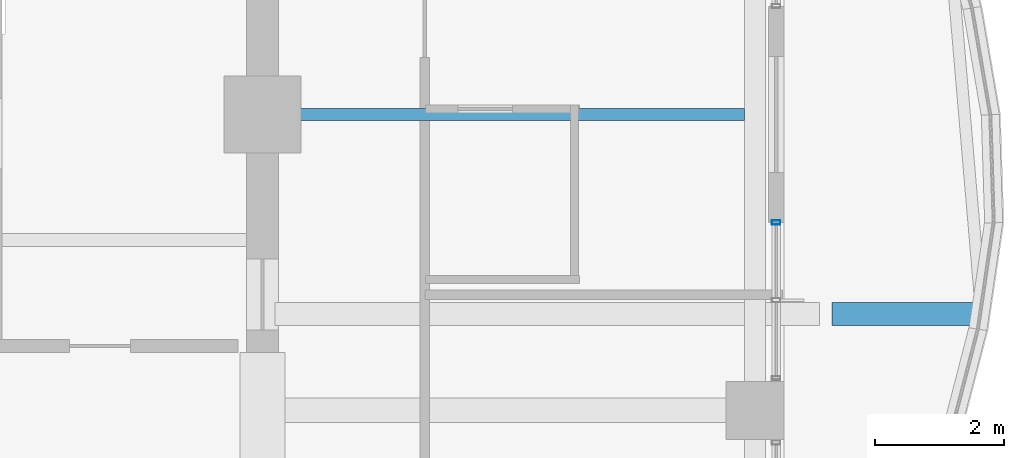
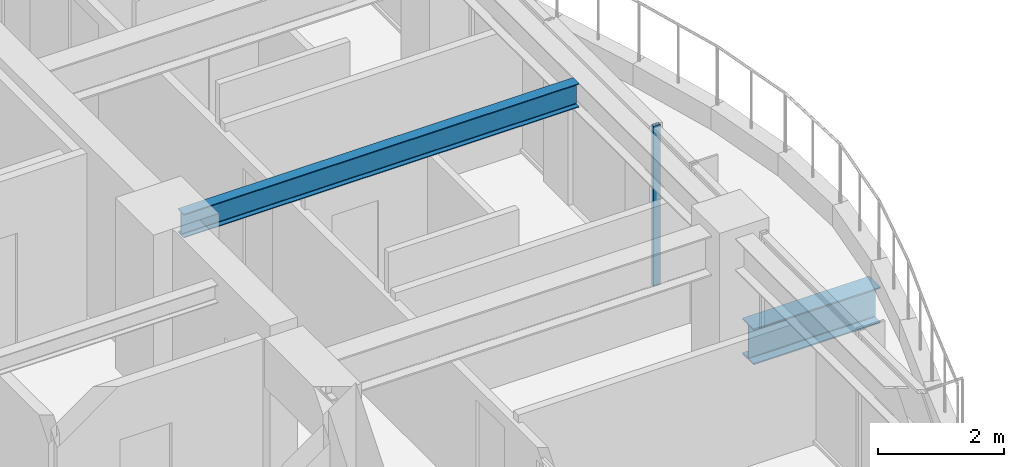
# One storey, part 14 of 33: 2 beams, 1 member, 1 element without a shape of its own.
"""IFC4 building model written with IfcOpenShell, lengths in metres."""

from ifc_helpers import new_model, si_unit, direction, frame, origin, origin_2d, place, context, subcontext, project, spatial, hollow_rectangle, i_section, extrude, material, material_profile, profile_set, type_object, element, aggregate, save


model = new_model("IFC4")

# Units and contexts
model_context = context("Model", 3, precision=1e-05, world=origin(), true_north=direction((0.0, 1.0)))
body_context = subcontext(model_context, "Body", "Model", "MODEL_VIEW")
ifc_project = project(units=[si_unit("LENGTHUNIT", "METRE"), si_unit("AREAUNIT", "SQUARE_METRE"), si_unit("VOLUMEUNIT", "CUBIC_METRE"), si_unit("PLANEANGLEUNIT", "RADIAN"), si_unit("MASSUNIT", "GRAM", prefix="KILO")], contexts=[model_context])

# Site, building, storey
site_placement = place(None, origin())
site = spatial("IfcSite", under=ifc_project, at=site_placement, CompositionType="ELEMENT")
building_placement = place(site_placement, origin())
building = spatial("IfcBuilding", under=site, at=building_placement, Name="Kolvaren Belvedere", CompositionType="ELEMENT")
storey_placement = place(building_placement, frame((0.0, 0.0, 128.300048828125)))
storey = spatial("IfcBuildingStorey", under=building, at=storey_placement, Name="L37", CompositionType="ELEMENT", Elevation=128.300048828125)

# Beams
ifc_material_1 = material(Name="Structural steel ASTM A992 Grade 50", Category="steel")
ifc_material_profile_1 = material_profile(ifc_material_1, i_section(OverallWidth=0.35498046875, OverallDepth=0.696044921875, WebThickness=0.015380859375, FlangeThickness=0.02490234375, FilletRadius=0.02197265625, at=origin_2d()), Name="W27X146")
ifc_profile_set_1 = profile_set([ifc_material_profile_1], Name="Structural steel ASTM A992 Grade 50")
beam_type_1 = type_object("IfcBeamType", Name="BM-CANT-BAL", PredefinedType="BEAM", material=ifc_profile_set_1)
beam_1_placement = place(storey_placement, frame((18.7451171875, -3.10009765625, -0.548095703125), z_axis=(1.0, 0.0, 0.0), x_axis=(0.0, 1.0, 0.0)))
element("IfcBeam", 1, at=beam_1_placement, inside=storey, type_object=beam_type_1, Name="L37 Planted Balcony Cantilever BAL-E-1", PredefinedType="BEAM", context=body_context, shape_type="SweptSolid", body=[
    extrude(i_section(OverallWidth=0.35498046875, OverallDepth=0.696044921875, WebThickness=0.015380859375, FlangeThickness=0.02490234375, FilletRadius=0.02197265625, at=origin_2d()), origin(), (0.0, 0.0, 1.0), 2.325439453125),
])
ifc_material_2 = material(Name="Structural steel ASTM A992 Grade 50", Category="steel")
ifc_material_profile_2 = material_profile(ifc_material_2, i_section(OverallWidth=0.19091796875, OverallDepth=0.4599609375, WebThickness=0.010009765625, FlangeThickness=0.01611328125, FilletRadius=0.014892578125, at=origin_2d()), Name="W18X55")
ifc_profile_set_2 = profile_set([ifc_material_profile_2], Name="Structural steel ASTM A992 Grade 50")
beam_type_2 = type_object("IfcBeamType", Name="BM-JOIST-W18X55", PredefinedType="BEAM", material=ifc_profile_set_2)
beam_2_placement = place(storey_placement, frame((10.14990234375, 0.0, 2.869873046875), z_axis=(1.0, 0.0, 0.0), x_axis=(0.0, 1.0, 0.0)))
element("IfcBeam", 2, at=beam_2_placement, inside=storey, type_object=beam_type_2, Name="L37 East Centre Floor Beam", PredefinedType="BEAM", context=body_context, shape_type="SweptSolid", body=[
    extrude(i_section(OverallWidth=0.19091796875, OverallDepth=0.4599609375, WebThickness=0.010009765625, FlangeThickness=0.01611328125, FilletRadius=0.014892578125, at=origin_2d()), origin(), (0.0, 0.0, 1.0), 7.237548828125),
])

# Curtain wall, member
ifc_material_3 = material(Name="Anodised pale-metal aluminium AA 6063-T6", Category="aluminium")
curtain_wall_type = type_object("IfcCurtainWallType", Name="CW-Z3-WAIST", PredefinedType="NOTDEFINED", material=ifc_material_3)
curtain_wall_placement = place(storey_placement, origin())
curtain_wall = element("IfcCurtainWall", 3, at=curtain_wall_placement, inside=storey, type_object=curtain_wall_type, Name="L37 Unitised Curtain Wall FCW-L37-E2-B1", PredefinedType="NOTDEFINED")
ifc_material_4 = material(Name="Anodised pale-metal aluminium AA 6063-T6", Category="aluminium")
ifc_material_profile_3 = material_profile(ifc_material_4, hollow_rectangle(XDim=0.06494140625, YDim=0.1298828125, WallThickness=0.00390625, at=origin_2d()), Name="ALU-MUL-130X65")
ifc_profile_set_3 = profile_set([ifc_material_profile_3], Name="Anodised pale-metal aluminium AA 6063-T6")
member_type = type_object("IfcMemberType", Name="CW-MUL-130", PredefinedType="MULLION", material=ifc_profile_set_3)
member_placement = place(storey_placement, frame((17.8798828125, -1.679931640625, 0.0), z_axis=(0.0, 0.0, 1.0), x_axis=(0.0, 1.0, 0.0)))
member = element("IfcMember", 4, at=member_placement, type_object=member_type, Name="FCW-L37-E2-B1 Unitised Mullion 1", PredefinedType="MULLION", context=body_context, shape_type="SweptSolid", body=[
    extrude(hollow_rectangle(XDim=0.06494140625, YDim=0.1298828125, WallThickness=0.00390625, at=origin_2d()), origin(), (0.0, 0.0, 1.0), 3.099853515625),
])
aggregate(curtain_wall, [member])

save(model, "model.ifc")
